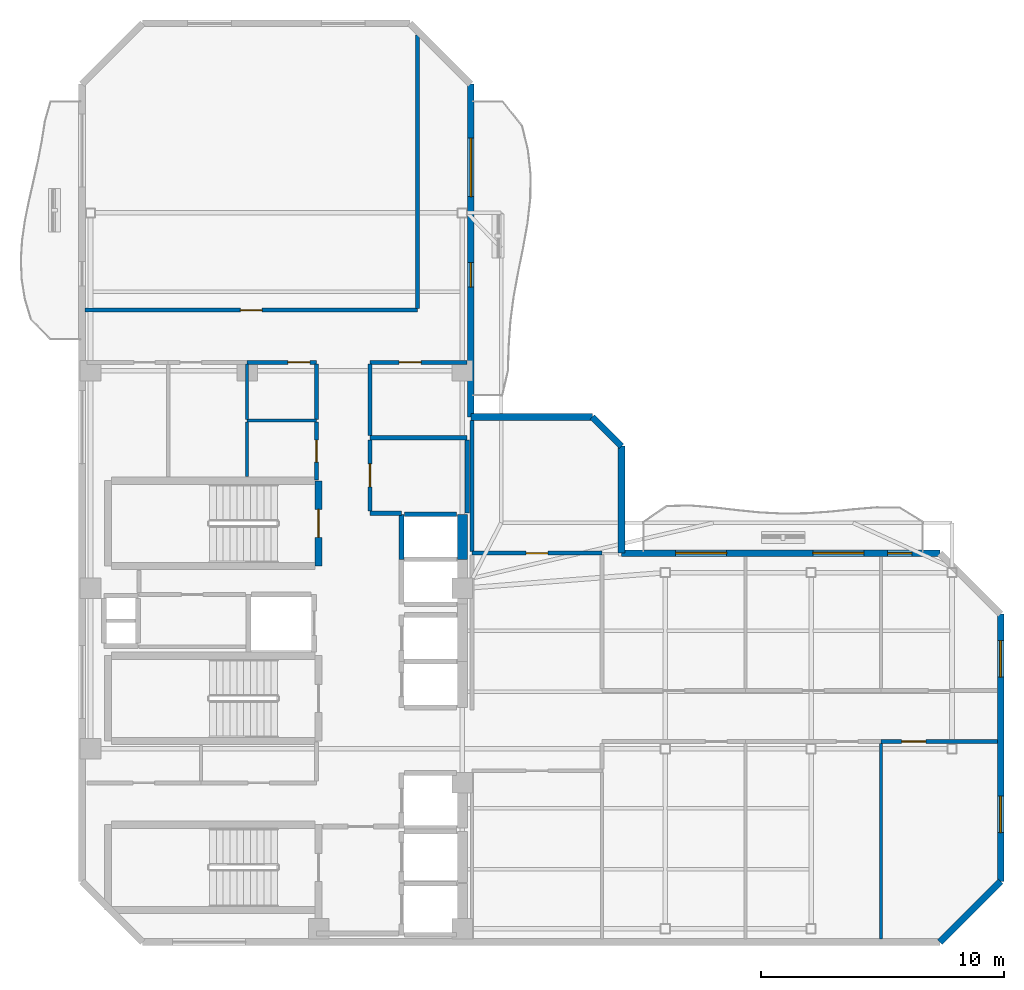
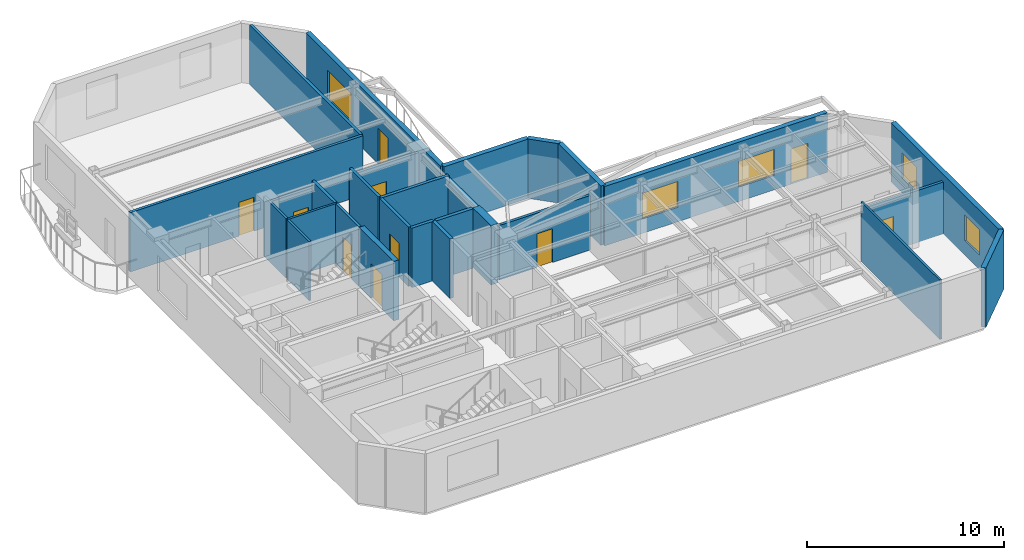
# One storey, part 4 of 7: 29 walls, 10 doors, 5 windows, 15 openings.
"""IFC4 building model written with IfcOpenShell, lengths in metres."""

import ifcopenshell
import ifcopenshell.guid

model = None  # the IFC model being written
_history = None  # IfcOwnerHistory: only IFC2X3 demands one
_inside = {}  # id of a spatial element -> (the spatial element, [elements in it])
_under = {}  # id of a project, library or spatial element -> (it, [spatial elements below it])
_declared = {}  # id of a project -> (the project, [libraries it declares])
_typed = {}  # id of a type object -> (the type object, [elements of that type])
_made_of = {}  # id of a material, layer set ... -> (it, [elements and type objects made of it])


def new_model(schema):
    """Start an empty IFC model of exactly this schema.

    Asked for "IFC4X3", IfcOpenShell would pick the latest addendum, in which some entities
    have other attributes; the version numbers below select the first issue.
    IFC2X3 requires an IfcOwnerHistory on every rooted entity: one is made here for all.
    """
    global model, _history
    if schema == "IFC4X3":
        model = ifcopenshell.file(schema_version=(4, 3, 0, 0))
    else:
        model = ifcopenshell.file(schema=schema)
    _inside.clear()
    _under.clear()
    _declared.clear()
    _typed.clear()
    _made_of.clear()
    _history = None
    if model.schema == "IFC2X3":
        org = make("IfcOrganization", Name="unknown")
        user = make(
            "IfcPersonAndOrganization",
            ThePerson=make("IfcPerson", FamilyName="unknown"),
            TheOrganization=org,
        )
        app = make(
            "IfcApplication",
            ApplicationDeveloper=org,
            Version="unknown",
            ApplicationFullName="unknown",
            ApplicationIdentifier="unknown",
        )
        _history = make(
            "IfcOwnerHistory",
            OwningUser=user,
            OwningApplication=app,
            ChangeAction="ADDED",
            CreationDate=0,
        )
    return model


def make(cls, **values):
    """One entity of the class cls with the attributes given. An attribute that is None is left unset."""
    return model.create_entity(
        cls, **{name: value for name, value in values.items() if value is not None}
    )


def rooted(cls, **values):
    """An entity with a GlobalId (a new one), such as an element, a storey or a relation."""
    return make(cls, GlobalId=ifcopenshell.guid.new(), OwnerHistory=_history, **values)


def si_unit(unit_type, name, prefix=None):
    """IfcSIUnit, for example si_unit("LENGTHUNIT", "METRE", prefix="MILLI")."""
    return make("IfcSIUnit", UnitType=unit_type, Prefix=prefix, Name=name)


def assignment(units):
    """IfcUnitAssignment: the units of a project."""
    return None if units is None else make("IfcUnitAssignment", Units=units)


def point(xyz):
    """IfcCartesianPoint."""
    return None if xyz is None else make("IfcCartesianPoint", Coordinates=xyz)


def direction(xyz):
    """IfcDirection."""
    return None if xyz is None else make("IfcDirection", DirectionRatios=xyz)


def frame(location, z_axis=None, x_axis=None):
    """IfcAxis2Placement3D, a coordinate frame: its origin and axes. An axis left out is left unset."""
    return make(
        "IfcAxis2Placement3D",
        Location=point(location),
        Axis=direction(z_axis),
        RefDirection=direction(x_axis),
    )


def frame_2d(location, x_axis=None):
    """IfcAxis2Placement2D, a coordinate frame in the plane: its origin and x axis."""
    return make(
        "IfcAxis2Placement2D", Location=point(location), RefDirection=direction(x_axis)
    )


def origin():
    """The frame at (0, 0, 0) with its axes left unset."""
    return frame((0.0, 0.0, 0.0))


def place(relative_to, where):
    """IfcLocalPlacement: puts the frame where relative to a parent placement (None: the world)."""
    return make(
        "IfcLocalPlacement", PlacementRelTo=relative_to, RelativePlacement=where
    )


def context(
    kind, dimensions, precision=None, world=None, true_north=None, identifier=None
):
    """IfcGeometricRepresentationContext, for example the 3D "Model" context."""
    return make(
        "IfcGeometricRepresentationContext",
        ContextIdentifier=identifier,
        ContextType=kind,
        CoordinateSpaceDimension=dimensions,
        Precision=precision,
        WorldCoordinateSystem=world,
        TrueNorth=true_north,
    )


def subcontext(parent, identifier, kind, view, scale=None):
    """IfcGeometricRepresentationSubContext, for example "Body" below "Model"."""
    return make(
        "IfcGeometricRepresentationSubContext",
        ContextIdentifier=identifier,
        ContextType=kind,
        ParentContext=parent,
        TargetScale=scale,
        TargetView=view,
    )


def project(units=None, contexts=None):
    """IfcProject with its units and contexts."""
    return rooted(
        "IfcProject",
        Name="project",
        RepresentationContexts=contexts,
        UnitsInContext=assignment(units),
    )


def spatial(cls, under=None, at=None, **own):
    """A site, building, storey or space (cls), placed at a placement, below another one or the project."""
    s = rooted(cls, ObjectPlacement=at, **own)
    if under is not None:
        _under.setdefault(under.id(), (under, []))[1].append(s)
    return s


def profile(cls, at=None, kind="AREA", **sizes):
    """A parametric profile (cls). Its sizes go by their IFC names, for example OverallWidth=200.0."""
    return make(cls, ProfileType=kind, Position=at, **sizes)


def rectangle(**sizes):
    """IfcRectangleProfileDef."""
    return profile("IfcRectangleProfileDef", **sizes)


def extrude(swept, where, along, depth):
    """IfcExtrudedAreaSolid: the profile swept, set in the frame where, extruded along a direction by depth."""
    return make(
        "IfcExtrudedAreaSolid",
        SweptArea=swept,
        Position=where,
        ExtrudedDirection=direction(along),
        Depth=depth,
    )


def shape(context_of_items, identifier, shape_type, items):
    """IfcShapeRepresentation: the items that make up one representation, for example the "Body"."""
    return make(
        "IfcShapeRepresentation",
        ContextOfItems=context_of_items,
        RepresentationIdentifier=identifier,
        RepresentationType=shape_type,
        Items=items,
    )


def material(Name=None, Category=None):
    """IfcMaterial."""
    return make("IfcMaterial", Name=Name, Category=Category)


def layer(
    of_material, thickness, ventilated=None, Name=None, Category=None, Priority=None
):
    """IfcMaterialLayer: one layer of a wall or slab, of a material (None: an air gap)."""
    return make(
        "IfcMaterialLayer",
        Material=of_material,
        LayerThickness=thickness,
        IsVentilated=ventilated,
        Name=Name,
        Category=Category,
        Priority=Priority,
    )


def layer_set(layers, Name=None):
    """IfcMaterialLayerSet."""
    return make("IfcMaterialLayerSet", MaterialLayers=layers, LayerSetName=Name)


def made_of(thing, what):
    """Note that an element or type object is made of a material, layer set ...; save() writes the relation."""
    if what is not None:
        _made_of.setdefault(what.id(), (what, []))[1].append(thing)
    return thing


def type_object(cls, material=None, **own):
    """A type object (cls), such as IfcWallType, which elements share."""
    return made_of(rooted(cls, **own), material)


def element(
    cls,
    number,
    at=None,
    inside=None,
    cuts=None,
    type_object=None,
    material=None,
    context=None,
    identifier="Body",
    shape_type=None,
    held_by="IfcProductDefinitionShape",
    body=None,
    shapes=None,
    **own,
):
    """One element of the class cls, such as IfcWall. Its Tag is "e" and its number.

    at: its placement. inside: the storey or other place that contains it. cuts: it is an
    opening in that element (IfcRelVoidsElement). A single representation is given by context,
    identifier, shape_type and body (its items); several are given by shapes. held_by: the class
    of the entity that holds the representations. save() writes the other relations.
    """
    e = rooted(cls, Tag="e%d" % number, ObjectPlacement=at, **own)
    if body is not None:
        shapes = [shape(context, identifier, shape_type, body)]
    if shapes is not None:
        e.Representation = make(held_by, Representations=shapes)
    if inside is not None:
        _inside.setdefault(inside.id(), (inside, []))[1].append(e)
    if cuts is not None:
        rooted(
            "IfcRelVoidsElement", RelatingBuildingElement=cuts, RelatedOpeningElement=e
        )
    if type_object is not None:
        _typed.setdefault(type_object.id(), (type_object, []))[1].append(e)
    return made_of(e, material)


def fill(opening, filler):
    """IfcRelFillsElement: the door or window that sits in an opening."""
    return rooted(
        "IfcRelFillsElement",
        RelatingOpeningElement=opening,
        RelatedBuildingElement=filler,
    )


def aggregate(whole, parts):
    """IfcRelAggregates: a whole, such as a stair, and the parts it consists of."""
    return rooted("IfcRelAggregates", RelatingObject=whole, RelatedObjects=parts)


def save(model, path):
    """Write the relations noted so far, then the file.

    IfcRelAggregates (storeys below a building ...), IfcRelContainedInSpatialStructure (elements
    in a storey), IfcRelDefinesByType, IfcRelAssociatesMaterial and IfcRelDeclares: one each for
    every whole, place, type object, material and project.
    """
    for whole, parts in _under.values():
        aggregate(whole, parts)
    for where, things in _inside.values():
        rooted(
            "IfcRelContainedInSpatialStructure",
            RelatedElements=things,
            RelatingStructure=where,
        )
    for kind, things in _typed.values():
        rooted("IfcRelDefinesByType", RelatedObjects=things, RelatingType=kind)
    for what, things in _made_of.values():
        rooted("IfcRelAssociatesMaterial", RelatedObjects=things, RelatingMaterial=what)
    for by, libraries in _declared.values():
        rooted("IfcRelDeclares", RelatingContext=by, RelatedDefinitions=libraries)
    model.write(path)


model = new_model("IFC4")

# Units and contexts
model_context = context("Model", 3, precision=1e-05, world=origin(), true_north=direction((0.0, 1.0)))
body_context = subcontext(model_context, "Body", "Model", "MODEL_VIEW")
ifc_project = project(units=[si_unit("LENGTHUNIT", "METRE"), si_unit("AREAUNIT", "SQUARE_METRE"), si_unit("VOLUMEUNIT", "CUBIC_METRE"), si_unit("PLANEANGLEUNIT", "RADIAN"), si_unit("MASSUNIT", "GRAM", prefix="KILO")], contexts=[model_context])

# Site, building, storey
site_placement = place(None, origin())
site = spatial("IfcSite", under=ifc_project, at=site_placement, CompositionType="ELEMENT")
building_placement = place(site_placement, origin())
building = spatial("IfcBuilding", under=site, at=building_placement, Name="Mawjaban Terraces University", CompositionType="ELEMENT")
storey_placement = place(building_placement, frame((0.0, 0.0, 291.10009765625)))
storey = spatial("IfcBuildingStorey", under=building, at=storey_placement, Name="L71", CompositionType="ELEMENT", Elevation=291.10009765625)

# Walls
ifc_material_1 = material(Name="Acoustic masonry blockwork", Category="masonry")
ifc_layer_1 = layer(ifc_material_1, 0.179931640625)
ifc_layer_set_1 = layer_set([ifc_layer_1], Name="Acoustic masonry blockwork")
wall_type_1 = type_object("IfcWallType", Name="AcousticStudioWall_180", PredefinedType="PARTITIONING", material=ifc_layer_set_1)
wall_1_placement = place(storey_placement, frame((33.85009765625, 17.64990234375, 0.0), z_axis=(0.0, 0.0, 1.0), x_axis=(1.0, 0.0, 0.0)))
element("IfcWall", 1, at=wall_1_placement, inside=storey, type_object=wall_type_1, Name="L71 Graduate Research Collaboration Studio Partition 10", PredefinedType="PARTITIONING", context=body_context, shape_type="SweptSolid", body=[
    extrude(rectangle(XDim=1.2998046875, YDim=0.179931640625, at=frame_2d((0.64990234375, 0.0))), origin(), (0.0, 0.0, 1.0), 3.68994140625),
])
wall_2_placement = place(storey_placement, frame((37.85009765625, 20.75, 0.0), z_axis=(0.0, 0.0, 1.0), x_axis=(-1.0, 0.0, 0.0)))
element("IfcWall", 2, at=wall_2_placement, inside=storey, type_object=wall_type_1, Name="L71 Graduate Research Collaboration Studio Partition 13", PredefinedType="PARTITIONING", context=body_context, shape_type="SweptSolid", body=[
    extrude(rectangle(XDim=4.0, YDim=0.179931640625, at=frame_2d((2.0, 0.0))), origin(), (0.0, 0.0, 1.0), 3.68994140625),
])

# Wall, opening, door
wall_3_placement = place(storey_placement, frame((33.85009765625, 17.735107421875, 0.0), z_axis=(0.0, 0.0, 1.0), x_axis=(0.0, 1.0, 0.0)))
wall_3 = element("IfcWall", 3, at=wall_3_placement, inside=storey, type_object=wall_type_1, Name="L71 Core North Lift Lobby Partition 31", PredefinedType="PARTITIONING", context=body_context, shape_type="SweptSolid", body=[
    extrude(rectangle(XDim=2.929931640625, YDim=0.179931640625, at=frame_2d((1.46484375, 0.0))), origin(), (0.0, 0.0, 1.0), 3.68994140625),
])
opening_1_placement = place(wall_3_placement, frame((0.989990234375, 0.0, 0.0)))
opening_1 = element("IfcOpeningElement", 4, at=opening_1_placement, cuts=wall_3, Name="Opening ID-095", PredefinedType="OPENING", context=body_context, shape_type="SweptSolid", body=[
    extrude(rectangle(XDim=0.949951171875, YDim=2.10009765625, at=frame_2d((0.47509765625, 1.050048828125))), frame((0.0, 0.099853515625, 0.0), z_axis=(0.0, -1.0, 0.0), x_axis=(1.0, 0.0, 0.0)), (0.0, 0.0, 1.0), 0.199951171875),
])
ifc_material_2 = material(Name="Powder-coated steel frame and solid acoustic timber leaf", Category="steel")
door_type_1 = type_object("IfcDoorType", Name="StudioDoor_950x2100", OperationType="NOTDEFINED", PredefinedType="DOOR", material=ifc_material_2)
door_1_placement = place(opening_1_placement, origin())
door_1 = element("IfcDoor", 5, at=door_1_placement, inside=storey, type_object=door_type_1, Name="L71 Graduate Research Collaboration Studio Door", OperationType="SINGLE_SWING_RIGHT", OverallHeight=2.10009765625, OverallWidth=0.949951171875, PredefinedType="DOOR", context=body_context, shape_type="SweptSolid", body=[
    extrude(rectangle(XDim=0.949951171875, YDim=2.10009765625, at=frame_2d((0.47509765625, 1.050048828125))), frame((0.0, 0.02490234375, 0.0), z_axis=(0.0, -1.0, 0.0), x_axis=(1.0, 0.0, 0.0)), (0.0, 0.0, 1.0), 0.050048828125),
])
fill(opening_1, door_1)

# Walls
wall_4_placement = place(storey_placement, frame((37.85009765625, 17.64990234375, 0.0), z_axis=(0.0, 0.0, 1.0), x_axis=(0.0, 1.0, 0.0)))
element("IfcWall", 6, at=wall_4_placement, inside=storey, type_object=wall_type_1, Name="L71 Graduate Research Collaboration Studio Partition 34", PredefinedType="PARTITIONING", context=body_context, shape_type="SweptSolid", body=[
    extrude(rectangle(XDim=3.01513671875, YDim=0.179931640625, at=frame_2d((1.507568359375, 0.0))), origin(), (0.0, 0.0, 1.0), 3.226806640625),
])
wall_5_placement = place(storey_placement, frame((38.050048828125, 21.468017578125, 0.0), z_axis=(0.0, 0.0, 1.0), x_axis=(0.0, -1.0, 0.0)))
element("IfcWall", 7, at=wall_5_placement, inside=storey, type_object=wall_type_1, Name="L71 Terrace Collaborative Study Room Partition 37", PredefinedType="PARTITIONING", context=body_context, shape_type="SweptSolid", body=[
    extrude(rectangle(XDim=5.39306640625, YDim=0.179931640625, at=frame_2d((2.696533203125, 0.0))), origin(), (0.0, 0.0, 1.0), 3.226806640625),
])
ifc_material_3 = material(Name="Concrete C50/60", Category="concrete")
ifc_layer_2 = layer(ifc_material_3, 0.419921875)
ifc_layer_set_2 = layer_set([ifc_layer_2], Name="Concrete C50/60")
wall_type_2 = type_object("IfcWallType", Name="CoreShearWall_420", PredefinedType="SHEAR", material=ifc_layer_set_2)
wall_6_placement = place(storey_placement, frame((37.659912109375, 15.75, 0.0), z_axis=(0.0, 0.0, 1.0), x_axis=(0.0, 1.0, 0.0)))
element("IfcWall", 8, at=wall_6_placement, inside=storey, type_object=wall_type_2, Name="L71 Lift OL-2 Hoistway Wall East", PredefinedType="SHEAR", context=body_context, shape_type="SweptSolid", body=[
    extrude(rectangle(XDim=1.85009765625, YDim=0.419921875, at=frame_2d((0.925048828125, 0.0))), origin(), (0.0, 0.0, 1.0), 3.68994140625),
])

# Wall, opening, door
ifc_material_4 = material(Name="Fire-rated gypsum board on steel stud", Category="steel")
ifc_layer_3 = layer(ifc_material_4, 0.159912109375)
ifc_layer_set_3 = layer_set([ifc_layer_3], Name="Fire-rated gypsum board on steel stud")
wall_type_3 = type_object("IfcWallType", Name="CorridorPartition_160", PredefinedType="PARTITIONING", material=ifc_layer_set_3)
wall_7_placement = place(storey_placement, frame((31.64990234375, 23.85009765625, 0.0), z_axis=(0.0, 0.0, 1.0), x_axis=(-1.0, 0.0, 0.0)))
wall_7 = element("IfcWall", 9, at=wall_7_placement, inside=storey, type_object=wall_type_3, Name="L71 Faculty Consultation Alcove Partition 9", PredefinedType="PARTITIONING", context=body_context, shape_type="SweptSolid", body=[
    extrude(rectangle(XDim=2.849853515625, YDim=0.159912109375, at=frame_2d((1.4248046875, 0.0))), origin(), (0.0, 0.0, 1.0), 3.226806640625),
])
opening_2_placement = place(wall_7_placement, frame((0.27490234375, 0.0, 0.0)))
opening_2 = element("IfcOpeningElement", 10, at=opening_2_placement, cuts=wall_7, Name="Opening ID-090", PredefinedType="OPENING", context=body_context, shape_type="SweptSolid", body=[
    extrude(rectangle(XDim=0.89990234375, YDim=2.10009765625, at=frame_2d((0.449951171875, 1.050048828125))), frame((0.0, 0.08984375, 0.0), z_axis=(0.0, -1.0, 0.0), x_axis=(1.0, 0.0, 0.0)), (0.0, 0.0, 1.0), 0.179931640625),
])
door_type_2 = type_object("IfcDoorType", Name="OfficeDoor_900x2100", OperationType="NOTDEFINED", PredefinedType="DOOR", material=ifc_material_2)
door_2_placement = place(opening_2_placement, origin())
door_2 = element("IfcDoor", 11, at=door_2_placement, inside=storey, type_object=door_type_2, Name="L71 Faculty Consultation Alcove Door", OperationType="SINGLE_SWING_LEFT", OverallHeight=2.10009765625, OverallWidth=0.89990234375, PredefinedType="DOOR", context=body_context, shape_type="SweptSolid", body=[
    extrude(rectangle(XDim=0.89990234375, YDim=2.10009765625, at=frame_2d((0.449951171875, 1.050048828125))), frame((0.0, 0.02490234375, 0.0), z_axis=(0.0, -1.0, 0.0), x_axis=(1.0, 0.0, 0.0)), (0.0, 0.0, 1.0), 0.050048828125),
])
fill(opening_2, door_2)

wall_8_placement = place(storey_placement, frame((35.800048828125, 26.0, 0.0), z_axis=(0.0, 0.0, 1.0), x_axis=(-1.0, 0.0, 0.0)))
wall_8 = element("IfcWall", 12, at=wall_8_placement, inside=storey, type_object=wall_type_3, Name="L71 North Core Cross-Corridor Partition 12", PredefinedType="PARTITIONING", context=body_context, shape_type="SweptSolid", body=[
    extrude(rectangle(XDim=13.6669921875, YDim=0.159912109375, at=frame_2d((6.83349609375, 0.0))), origin(), (0.0, 0.0, 1.0), 3.68994140625),
])
opening_3_placement = place(wall_8_placement, frame((6.383056640625, 0.0, 0.0)))
opening_3 = element("IfcOpeningElement", 13, at=opening_3_placement, cuts=wall_8, Name="Opening ID-090", PredefinedType="OPENING", context=body_context, shape_type="SweptSolid", body=[
    extrude(rectangle(XDim=0.89990234375, YDim=2.10009765625, at=frame_2d((0.449951171875, 1.050048828125))), frame((0.0, 0.08984375, 0.0), z_axis=(0.0, -1.0, 0.0), x_axis=(1.0, 0.0, 0.0)), (0.0, 0.0, 1.0), 0.179931640625),
])
door_3_placement = place(opening_3_placement, origin())
door_3 = element("IfcDoor", 14, at=door_3_placement, inside=storey, type_object=door_type_2, Name="L71 Collaborative Study Room 8 Door", OperationType="SINGLE_SWING_RIGHT", OverallHeight=2.10009765625, OverallWidth=0.89990234375, PredefinedType="DOOR", context=body_context, shape_type="SweptSolid", body=[
    extrude(rectangle(XDim=0.89990234375, YDim=2.10009765625, at=frame_2d((0.449951171875, 1.050048828125))), frame((0.0, 0.02490234375, 0.0), z_axis=(0.0, -1.0, 0.0), x_axis=(1.0, 0.0, 0.0)), (0.0, 0.0, 1.0), 0.050048828125),
])
fill(opening_3, door_3)

wall_9_placement = place(storey_placement, frame((37.85009765625, 23.85009765625, 0.0), z_axis=(0.0, 0.0, 1.0), x_axis=(-1.0, 0.0, 0.0)))
wall_9 = element("IfcWall", 15, at=wall_9_placement, inside=storey, type_object=wall_type_3, Name="L71 Departmental Copy and Archive Room Partition 14", PredefinedType="PARTITIONING", context=body_context, shape_type="SweptSolid", body=[
    extrude(rectangle(XDim=4.0, YDim=0.159912109375, at=frame_2d((2.0, 0.0))), origin(), (0.0, 0.0, 1.0), 3.226806640625),
])
opening_4_placement = place(wall_9_placement, frame((1.89990234375, 0.0, 0.0)))
opening_4 = element("IfcOpeningElement", 16, at=opening_4_placement, cuts=wall_9, Name="Opening ID-090", PredefinedType="OPENING", context=body_context, shape_type="SweptSolid", body=[
    extrude(rectangle(XDim=0.89990234375, YDim=2.10009765625, at=frame_2d((0.449951171875, 1.050048828125))), frame((0.0, 0.08984375, 0.0), z_axis=(0.0, -1.0, 0.0), x_axis=(1.0, 0.0, 0.0)), (0.0, 0.0, 1.0), 0.179931640625),
])
door_4_placement = place(opening_4_placement, origin())
door_4 = element("IfcDoor", 17, at=door_4_placement, inside=storey, type_object=door_type_2, Name="L71 Departmental Copy and Archive Room Door", OperationType="SINGLE_SWING_LEFT", OverallHeight=2.10009765625, OverallWidth=0.89990234375, PredefinedType="DOOR", context=body_context, shape_type="SweptSolid", body=[
    extrude(rectangle(XDim=0.89990234375, YDim=2.10009765625, at=frame_2d((0.449951171875, 1.050048828125))), frame((0.0, 0.02490234375, 0.0), z_axis=(0.0, -1.0, 0.0), x_axis=(1.0, 0.0, 0.0)), (0.0, 0.0, 1.0), 0.050048828125),
])
fill(opening_4, door_4)

wall_10_placement = place(storey_placement, frame((43.39990234375, 16.0, 0.0), z_axis=(0.0, 0.0, 1.0), x_axis=(-1.0, 0.0, 0.0)))
wall_10 = element("IfcWall", 18, at=wall_10_placement, inside=storey, type_object=wall_type_3, Name="L71 Upper Research Hub Concourse Partition 17", PredefinedType="PARTITIONING", context=body_context, shape_type="SweptSolid", body=[
    extrude(rectangle(XDim=5.349853515625, YDim=0.159912109375, at=frame_2d((2.6748046875, 0.0))), origin(), (0.0, 0.0, 1.0), 3.389892578125),
])
opening_5_placement = place(wall_10_placement, frame((2.22509765625, 0.0, 0.0)))
opening_5 = element("IfcOpeningElement", 19, at=opening_5_placement, cuts=wall_10, Name="Opening ID-090", PredefinedType="OPENING", context=body_context, shape_type="SweptSolid", body=[
    extrude(rectangle(XDim=0.89990234375, YDim=2.10009765625, at=frame_2d((0.449951171875, 1.050048828125))), frame((0.0, 0.08984375, 0.0), z_axis=(0.0, -1.0, 0.0), x_axis=(1.0, 0.0, 0.0)), (0.0, 0.0, 1.0), 0.179931640625),
])
door_5_placement = place(opening_5_placement, origin())
door_5 = element("IfcDoor", 20, at=door_5_placement, inside=storey, type_object=door_type_2, Name="L71 Terrace Collaborative Study Room Door", OperationType="SINGLE_SWING_LEFT", OverallHeight=2.10009765625, OverallWidth=0.89990234375, PredefinedType="DOOR", context=body_context, shape_type="SweptSolid", body=[
    extrude(rectangle(XDim=0.89990234375, YDim=2.10009765625, at=frame_2d((0.449951171875, 1.050048828125))), frame((0.0, 0.02490234375, 0.0), z_axis=(0.0, -1.0, 0.0), x_axis=(1.0, 0.0, 0.0)), (0.0, 0.0, 1.0), 0.050048828125),
])
fill(opening_5, door_5)

wall_11_placement = place(storey_placement, frame((54.8798828125, 8.25, 0.0), z_axis=(0.0, 0.0, 1.0), x_axis=(1.0, 0.0, 0.0)))
wall_11 = element("IfcWall", 21, at=wall_11_placement, inside=storey, type_object=wall_type_3, Name="L71 Upper East Research Corridor Partition 20", PredefinedType="PARTITIONING", context=body_context, shape_type="SweptSolid", body=[
    extrude(rectangle(XDim=4.787109375, YDim=0.159912109375, at=frame_2d((2.3935546875, 0.0))), origin(), (0.0, 0.0, 1.0), 3.226806640625),
])
opening_6_placement = place(wall_11_placement, frame((0.843017578125, 0.0, 0.0)))
opening_6 = element("IfcOpeningElement", 22, at=opening_6_placement, cuts=wall_11, Name="Opening ID-100", PredefinedType="OPENING", context=body_context, shape_type="SweptSolid", body=[
    extrude(rectangle(XDim=1.0, YDim=2.10009765625, at=frame_2d((0.5, 1.050048828125))), frame((0.0, 0.08984375, 0.0), z_axis=(0.0, -1.0, 0.0), x_axis=(1.0, 0.0, 0.0)), (0.0, 0.0, 1.0), 0.179931640625),
])
door_type_3 = type_object("IfcDoorType", Name="ClassroomDoor_1000x2100", OperationType="NOTDEFINED", PredefinedType="DOOR", material=ifc_material_2)
door_6_placement = place(opening_6_placement, origin())
door_6 = element("IfcDoor", 23, at=door_6_placement, inside=storey, type_object=door_type_3, Name="L71 Classroom 6 Door", OperationType="SINGLE_SWING_RIGHT", OverallHeight=2.10009765625, OverallWidth=1.0, PredefinedType="DOOR", context=body_context, shape_type="SweptSolid", body=[
    extrude(rectangle(XDim=1.0, YDim=2.10009765625, at=frame_2d((0.5, 1.050048828125))), frame((0.0, 0.02490234375, 0.0), z_axis=(0.0, -1.0, 0.0), x_axis=(1.0, 0.0, 0.0)), (0.0, 0.0, 1.0), 0.050048828125),
])
fill(opening_6, door_6)

wall_12_placement = place(storey_placement, frame((31.64990234375, 19.010009765625, 0.0), z_axis=(0.0, 0.0, 1.0), x_axis=(0.0, 1.0, 0.0)))
wall_12 = element("IfcWall", 24, at=wall_12_placement, inside=storey, type_object=wall_type_3, Name="L71 Faculty Academic Resource Office Partition 29", PredefinedType="PARTITIONING", context=body_context, shape_type="SweptSolid", body=[
    extrude(rectangle(XDim=2.382080078125, YDim=0.159912109375, at=frame_2d((1.19091796875, 0.0))), origin(), (0.0, 0.0, 1.0), 3.68994140625),
])
opening_7_placement = place(wall_12_placement, frame((0.740966796875, 0.0, 0.0)))
opening_7 = element("IfcOpeningElement", 25, at=opening_7_placement, cuts=wall_12, Name="Opening ID-090", PredefinedType="OPENING", context=body_context, shape_type="SweptSolid", body=[
    extrude(rectangle(XDim=0.89990234375, YDim=2.10009765625, at=frame_2d((0.449951171875, 1.050048828125))), frame((0.0, 0.08984375, 0.0), z_axis=(0.0, -1.0, 0.0), x_axis=(1.0, 0.0, 0.0)), (0.0, 0.0, 1.0), 0.179931640625),
])
door_7_placement = place(opening_7_placement, origin())
door_7 = element("IfcDoor", 26, at=door_7_placement, inside=storey, type_object=door_type_2, Name="L71 Faculty Academic Resource Office Door", OperationType="SINGLE_SWING_RIGHT", OverallHeight=2.10009765625, OverallWidth=0.89990234375, PredefinedType="DOOR", context=body_context, shape_type="SweptSolid", body=[
    extrude(rectangle(XDim=0.89990234375, YDim=2.10009765625, at=frame_2d((0.449951171875, 1.050048828125))), frame((0.0, 0.02490234375, 0.0), z_axis=(0.0, -1.0, 0.0), x_axis=(1.0, 0.0, 0.0)), (0.0, 0.0, 1.0), 0.050048828125),
])
fill(opening_7, door_7)

# Walls
wall_13_placement = place(storey_placement, frame((31.64990234375, 23.77490234375, 0.0), z_axis=(0.0, 0.0, 1.0), x_axis=(0.0, -1.0, 0.0)))
element("IfcWall", 27, at=wall_13_placement, inside=storey, type_object=wall_type_3, Name="L71 Core North Lift Lobby Partition 30", PredefinedType="PARTITIONING", context=body_context, shape_type="SweptSolid", body=[
    extrude(rectangle(XDim=2.266845703125, YDim=0.159912109375, at=frame_2d((1.13330078125, 0.0))), origin(), (0.0, 0.0, 1.0), 3.68994140625),
])
wall_14_placement = place(storey_placement, frame((33.85009765625, 20.8349609375, 0.0), z_axis=(0.0, 0.0, 1.0), x_axis=(0.0, 1.0, 0.0)))
element("IfcWall", 28, at=wall_14_placement, inside=storey, type_object=wall_type_3, Name="L71 Core North Lift Lobby Partition 32", PredefinedType="PARTITIONING", context=body_context, shape_type="SweptSolid", body=[
    extrude(rectangle(XDim=2.93994140625, YDim=0.159912109375, at=frame_2d((1.469970703125, 0.0))), origin(), (0.0, 0.0, 1.0), 3.68994140625),
])
wall_15_placement = place(storey_placement, frame((35.800048828125, 37.31298828125, 0.0), z_axis=(0.0, 0.0, 1.0), x_axis=(0.0, -1.0, 0.0)))
element("IfcWall", 29, at=wall_15_placement, inside=storey, type_object=wall_type_3, Name="L71 Upper North Research Gallery Partition 33", PredefinedType="PARTITIONING", context=body_context, shape_type="SweptSolid", body=[
    extrude(rectangle(XDim=11.238037109375, YDim=0.159912109375, at=frame_2d((5.619140625, 0.0))), origin(), (0.0, 0.0, 1.0), 3.68994140625),
])
ifc_material_5 = material(Name="Insulated terracotta rainscreen on concrete backup C40/50", Category="masonry")
ifc_layer_4 = layer(ifc_material_5, 0.27490234375)
ifc_layer_set_4 = layer_set([ifc_layer_4], Name="Insulated terracotta rainscreen on concrete backup C40/50")
wall_type_4 = type_object("IfcWallType", Name="ExtTerracottaWall_275", PredefinedType="SOLIDWALL", material=ifc_layer_set_4)
wall_16_placement = place(storey_placement, frame((57.300048828125, 0.0, 0.0), z_axis=(0.0, 0.0, 1.0), x_axis=(0.707106781187, 0.707106781187, 0.0)))
element("IfcWall", 30, at=wall_16_placement, inside=storey, type_object=wall_type_4, Name="L71 Exterior Terracotta Wall 2", PredefinedType="SOLIDWALL", context=body_context, shape_type="SweptSolid", body=[
    extrude(rectangle(XDim=3.53564453125, YDim=0.27490234375, at=frame_2d((1.767822265625, 0.0))), origin(), (0.0, 0.0, 1.0), 3.68994140625),
])

# Wall, openings, windows
wall_17_placement = place(storey_placement, frame((59.800048828125, 2.5, 0.0), z_axis=(0.0, 0.0, 1.0), x_axis=(0.0, 1.0, 0.0)))
wall_17 = element("IfcWall", 31, at=wall_17_placement, inside=storey, type_object=wall_type_4, Name="L71 Exterior Terracotta Wall 3", PredefinedType="SOLIDWALL", context=body_context, shape_type="SweptSolid", body=[
    extrude(rectangle(XDim=11.0, YDim=0.27490234375, at=frame_2d((5.5, 0.0))), origin(), (0.0, 0.0, 1.0), 3.68994140625),
])
opening_8_placement = place(wall_17_placement, frame((2.0, 0.0, 0.89990234375)))
opening_8 = element("IfcOpeningElement", 32, at=opening_8_placement, cuts=wall_17, Name="Opening W-02", PredefinedType="OPENING", context=body_context, shape_type="SweptSolid", body=[
    extrude(rectangle(XDim=1.5, YDim=1.60009765625, at=frame_2d((0.75, 0.800048828125))), frame((0.0, 0.1474609375, 0.0), z_axis=(0.0, -1.0, 0.0), x_axis=(1.0, 0.0, 0.0)), (0.0, 0.0, 1.0), 0.294921875),
])
opening_9_placement = place(wall_17_placement, frame((8.39990234375, 0.0, 0.89990234375)))
opening_9 = element("IfcOpeningElement", 33, at=opening_9_placement, cuts=wall_17, Name="Opening W-02", PredefinedType="OPENING", context=body_context, shape_type="SweptSolid", body=[
    extrude(rectangle(XDim=1.5, YDim=1.60009765625, at=frame_2d((0.75, 0.800048828125))), frame((0.0, 0.1474609375, 0.0), z_axis=(0.0, -1.0, 0.0), x_axis=(1.0, 0.0, 0.0)), (0.0, 0.0, 1.0), 0.294921875),
])
ifc_material_6 = material(Name="Low-E solar-control double glazing in thermally broken aluminium frame", Category="aluminium")
window_type_1 = type_object("IfcWindowType", Name="Win_1500x1600", PartitioningType="SINGLE_PANEL", PredefinedType="WINDOW", material=ifc_material_6)
window_1_placement = place(opening_8_placement, origin())
window_1 = element("IfcWindow", 34, at=window_1_placement, inside=storey, type_object=window_type_1, Name="L71 Facade Window 3.1", OverallHeight=1.60009765625, OverallWidth=1.5, PartitioningType="SINGLE_PANEL", PredefinedType="WINDOW", context=body_context, shape_type="SweptSolid", body=[
    extrude(rectangle(XDim=1.5, YDim=1.60009765625, at=frame_2d((0.75, 0.800048828125))), frame((0.0, 0.030029296875, 0.0), z_axis=(0.0, -1.0, 0.0), x_axis=(1.0, 0.0, 0.0)), (0.0, 0.0, 1.0), 0.06005859375),
])
fill(opening_8, window_1)
window_2_placement = place(opening_9_placement, origin())
window_2 = element("IfcWindow", 35, at=window_2_placement, inside=storey, type_object=window_type_1, Name="L71 Facade Window 3.2", OverallHeight=1.60009765625, OverallWidth=1.5, PartitioningType="SINGLE_PANEL", PredefinedType="WINDOW", context=body_context, shape_type="SweptSolid", body=[
    extrude(rectangle(XDim=1.5, YDim=1.60009765625, at=frame_2d((0.75, 0.800048828125))), frame((0.0, 0.030029296875, 0.0), z_axis=(0.0, -1.0, 0.0), x_axis=(1.0, 0.0, 0.0)), (0.0, 0.0, 1.0), 0.06005859375),
])
fill(opening_9, window_2)

# Wall, openings, door, windows
wall_18_placement = place(storey_placement, frame((57.300048828125, 16.0, 0.0), z_axis=(0.0, 0.0, 1.0), x_axis=(-1.0, 0.0, 0.0)))
wall_18 = element("IfcWall", 36, at=wall_18_placement, inside=storey, type_object=wall_type_4, Name="L71 Exterior Terracotta Wall 5", PredefinedType="SOLIDWALL", context=body_context, shape_type="SweptSolid", body=[
    extrude(rectangle(XDim=13.10009765625, YDim=0.27490234375, at=frame_2d((6.550048828125, 0.0))), origin(), (0.0, 0.0, 1.0), 3.68994140625),
])
opening_10_placement = place(wall_18_placement, frame((1.14990234375, 0.0, 0.0)))
opening_10 = element("IfcOpeningElement", 37, at=opening_10_placement, cuts=wall_18, Name="Opening BD-100", PredefinedType="OPENING", context=body_context, shape_type="SweptSolid", body=[
    extrude(rectangle(XDim=1.0, YDim=2.199951171875, at=frame_2d((0.5, 1.10009765625))), frame((0.0, 0.1474609375, 0.0), z_axis=(0.0, -1.0, 0.0), x_axis=(1.0, 0.0, 0.0)), (0.0, 0.0, 1.0), 0.294921875),
])
opening_11_placement = place(wall_18_placement, frame((3.125, 0.0, 0.89990234375)))
opening_11 = element("IfcOpeningElement", 38, at=opening_11_placement, cuts=wall_18, Name="Opening W-04", PredefinedType="OPENING", context=body_context, shape_type="SweptSolid", body=[
    extrude(rectangle(XDim=2.10009765625, YDim=1.60009765625, at=frame_2d((1.050048828125, 0.800048828125))), frame((0.0, 0.1474609375, 0.0), z_axis=(0.0, -1.0, 0.0), x_axis=(1.0, 0.0, 0.0)), (0.0, 0.0, 1.0), 0.294921875),
])
opening_12_placement = place(wall_18_placement, frame((8.77490234375, 0.0, 0.89990234375)))
opening_12 = element("IfcOpeningElement", 39, at=opening_12_placement, cuts=wall_18, Name="Opening W-04", PredefinedType="OPENING", context=body_context, shape_type="SweptSolid", body=[
    extrude(rectangle(XDim=2.10009765625, YDim=1.60009765625, at=frame_2d((1.050048828125, 0.800048828125))), frame((0.0, 0.1474609375, 0.0), z_axis=(0.0, -1.0, 0.0), x_axis=(1.0, 0.0, 0.0)), (0.0, 0.0, 1.0), 0.294921875),
])
ifc_material_7 = material(Name="Thermally broken anodised aluminium and laminated safety glass", Category="aluminium")
door_type_4 = type_object("IfcDoorType", Name="BalconyGlazedDoor_1000x2200", OperationType="NOTDEFINED", PredefinedType="DOOR", material=ifc_material_7)
door_8_placement = place(opening_10_placement, origin())
door_8 = element("IfcDoor", 40, at=door_8_placement, inside=storey, type_object=door_type_4, Name="L71 Balcony Access Door inner_north", OperationType="SINGLE_SWING_LEFT", OverallHeight=2.199951171875, OverallWidth=1.0, PredefinedType="DOOR", context=body_context, shape_type="SweptSolid", body=[
    extrude(rectangle(XDim=1.0, YDim=2.199951171875, at=frame_2d((0.5, 1.10009765625))), frame((0.0, 0.02490234375, 0.0), z_axis=(0.0, -1.0, 0.0), x_axis=(1.0, 0.0, 0.0)), (0.0, 0.0, 1.0), 0.050048828125),
])
fill(opening_10, door_8)
window_type_2 = type_object("IfcWindowType", Name="Win_2100x1600", PartitioningType="SINGLE_PANEL", PredefinedType="WINDOW", material=ifc_material_6)
window_3_placement = place(opening_11_placement, origin())
window_3 = element("IfcWindow", 41, at=window_3_placement, inside=storey, type_object=window_type_2, Name="L71 Facade Window 5.1", OverallHeight=1.60009765625, OverallWidth=2.10009765625, PartitioningType="SINGLE_PANEL", PredefinedType="WINDOW", context=body_context, shape_type="SweptSolid", body=[
    extrude(rectangle(XDim=2.10009765625, YDim=1.60009765625, at=frame_2d((1.050048828125, 0.800048828125))), frame((0.0, 0.030029296875, 0.0), z_axis=(0.0, -1.0, 0.0), x_axis=(1.0, 0.0, 0.0)), (0.0, 0.0, 1.0), 0.06005859375),
])
fill(opening_11, window_3)
window_4_placement = place(opening_12_placement, origin())
window_4 = element("IfcWindow", 42, at=window_4_placement, inside=storey, type_object=window_type_2, Name="L71 Facade Window 5.2", OverallHeight=1.60009765625, OverallWidth=2.10009765625, PartitioningType="SINGLE_PANEL", PredefinedType="WINDOW", context=body_context, shape_type="SweptSolid", body=[
    extrude(rectangle(XDim=2.10009765625, YDim=1.60009765625, at=frame_2d((1.050048828125, 0.800048828125))), frame((0.0, 0.030029296875, 0.0), z_axis=(0.0, -1.0, 0.0), x_axis=(1.0, 0.0, 0.0)), (0.0, 0.0, 1.0), 0.06005859375),
])
fill(opening_12, window_4)

# Walls
wall_19_placement = place(storey_placement, frame((44.199951171875, 16.0, 0.0), z_axis=(0.0, 0.0, 1.0), x_axis=(0.0, 1.0, 0.0)))
element("IfcWall", 43, at=wall_19_placement, inside=storey, type_object=wall_type_4, Name="L71 Exterior Terracotta Wall 6", PredefinedType="SOLIDWALL", context=body_context, shape_type="SweptSolid", body=[
    extrude(rectangle(XDim=4.39990234375, YDim=0.27490234375, at=frame_2d((2.199951171875, 0.0))), origin(), (0.0, 0.0, 1.0), 3.68994140625),
])
wall_20_placement = place(storey_placement, frame((44.199951171875, 20.39990234375, 0.0), z_axis=(0.0, 0.0, 1.0), x_axis=(-0.707034851297, 0.707178703759, 0.0)))
element("IfcWall", 44, at=wall_20_placement, inside=storey, type_object=wall_type_4, Name="L71 Exterior Terracotta Wall 7", PredefinedType="SOLIDWALL", context=body_context, shape_type="SweptSolid", body=[
    extrude(rectangle(XDim=1.697265625, YDim=0.27490234375, at=frame_2d((0.8486328125, 0.0))), origin(), (0.0, 0.0, 1.0), 3.68994140625),
])
wall_21_placement = place(storey_placement, frame((43.0, 21.60009765625, 0.0), z_axis=(0.0, 0.0, 1.0), x_axis=(-1.0, 0.0, 0.0)))
element("IfcWall", 45, at=wall_21_placement, inside=storey, type_object=wall_type_4, Name="L71 Exterior Terracotta Wall 8", PredefinedType="SOLIDWALL", context=body_context, shape_type="SweptSolid", body=[
    extrude(rectangle(XDim=5.0, YDim=0.27490234375, at=frame_2d((2.5, 0.0))), origin(), (0.0, 0.0, 1.0), 3.68994140625),
])

# Wall, openings, door, window
wall_22_placement = place(storey_placement, frame((38.0, 21.60009765625, 0.0), z_axis=(0.0, 0.0, 1.0), x_axis=(0.0, 1.0, 0.0)))
wall_22 = element("IfcWall", 46, at=wall_22_placement, inside=storey, type_object=wall_type_4, Name="L71 Exterior Terracotta Wall 9", PredefinedType="SOLIDWALL", context=body_context, shape_type="SweptSolid", body=[
    extrude(rectangle(XDim=13.699951171875, YDim=0.27490234375, at=frame_2d((6.85009765625, 0.0))), origin(), (0.0, 0.0, 1.0), 3.68994140625),
])
opening_13_placement = place(wall_22_placement, frame((5.35009765625, 0.0, 0.0)))
opening_13 = element("IfcOpeningElement", 47, at=opening_13_placement, cuts=wall_22, Name="Opening BD-100", PredefinedType="OPENING", context=body_context, shape_type="SweptSolid", body=[
    extrude(rectangle(XDim=1.0, YDim=2.199951171875, at=frame_2d((0.5, 1.10009765625))), frame((0.0, 0.1474609375, 0.0), z_axis=(0.0, -1.0, 0.0), x_axis=(1.0, 0.0, 0.0)), (0.0, 0.0, 1.0), 0.294921875),
])
opening_14_placement = place(wall_22_placement, frame((9.074951171875, 0.0, 0.89990234375)))
opening_14 = element("IfcOpeningElement", 48, at=opening_14_placement, cuts=wall_22, Name="Opening W-08", PredefinedType="OPENING", context=body_context, shape_type="SweptSolid", body=[
    extrude(rectangle(XDim=2.39990234375, YDim=1.800048828125, at=frame_2d((1.199951171875, 0.89990234375))), frame((0.0, 0.1474609375, 0.0), z_axis=(0.0, -1.0, 0.0), x_axis=(1.0, 0.0, 0.0)), (0.0, 0.0, 1.0), 0.294921875),
])
door_9_placement = place(opening_13_placement, origin())
door_9 = element("IfcDoor", 49, at=door_9_placement, inside=storey, type_object=door_type_4, Name="L71 Balcony Access Door inner_east", OperationType="SINGLE_SWING_RIGHT", OverallHeight=2.199951171875, OverallWidth=1.0, PredefinedType="DOOR", context=body_context, shape_type="SweptSolid", body=[
    extrude(rectangle(XDim=1.0, YDim=2.199951171875, at=frame_2d((0.5, 1.10009765625))), frame((0.0, 0.02490234375, 0.0), z_axis=(0.0, -1.0, 0.0), x_axis=(1.0, 0.0, 0.0)), (0.0, 0.0, 1.0), 0.050048828125),
])
fill(opening_13, door_9)
window_type_3 = type_object("IfcWindowType", Name="Win_2400x1800", PartitioningType="SINGLE_PANEL", PredefinedType="WINDOW", material=ifc_material_6)
window_5_placement = place(opening_14_placement, origin())
window_5 = element("IfcWindow", 50, at=window_5_placement, inside=storey, type_object=window_type_3, Name="L71 Facade Window 9.2", OverallHeight=1.800048828125, OverallWidth=2.39990234375, PartitioningType="SINGLE_PANEL", PredefinedType="WINDOW", context=body_context, shape_type="SweptSolid", body=[
    extrude(rectangle(XDim=2.39990234375, YDim=1.800048828125, at=frame_2d((1.199951171875, 0.89990234375))), frame((0.0, 0.030029296875, 0.0), z_axis=(0.0, -1.0, 0.0), x_axis=(1.0, 0.0, 0.0)), (0.0, 0.0, 1.0), 0.06005859375),
])
fill(opening_14, window_5)

# Walls
ifc_material_8 = material(Name="Concrete C40/50", Category="concrete")
ifc_layer_5 = layer(ifc_material_8, 0.199951171875)
ifc_layer_set_5 = layer_set([ifc_layer_5], Name="Concrete C40/50")
wall_type_5 = type_object("IfcWallType", Name="FireLobbyWall_200", PredefinedType="SOLIDWALL", material=ifc_layer_set_5)
wall_23_placement = place(storey_placement, frame((35.14990234375, 17.60009765625, 0.0), z_axis=(0.0, 0.0, 1.0), x_axis=(0.0, -1.0, 0.0)))
element("IfcWall", 51, at=wall_23_placement, inside=storey, type_object=wall_type_5, Name="L71 Lift OL-2 Hoistway Wall West", PredefinedType="SOLIDWALL", context=body_context, shape_type="SweptSolid", body=[
    extrude(rectangle(XDim=1.85009765625, YDim=0.199951171875, at=frame_2d((0.925048828125, 0.0))), origin(), (0.0, 0.0, 1.0), 3.68994140625),
])
wall_24_placement = place(storey_placement, frame((37.419921875, 17.60009765625, 0.0), z_axis=(0.0, 0.0, 1.0), x_axis=(-1.0, 0.0, 0.0)))
element("IfcWall", 52, at=wall_24_placement, inside=storey, type_object=wall_type_5, Name="L71 Lift OL-2 Hoistway Wall North", PredefinedType="SOLIDWALL", context=body_context, shape_type="SweptSolid", body=[
    extrude(rectangle(XDim=2.139892578125, YDim=0.199951171875, at=frame_2d((1.06982421875, 0.0))), origin(), (0.0, 0.0, 1.0), 3.68994140625),
])
ifc_material_9 = material(Name="Gypsum plasterboard on steel stud", Category="steel")
ifc_layer_6 = layer(ifc_material_9, 0.125)
ifc_layer_set_6 = layer_set([ifc_layer_6], Name="Gypsum plasterboard on steel stud")
wall_type_6 = type_object("IfcWallType", Name="OfficePartition_125", PredefinedType="PARTITIONING", material=ifc_layer_set_6)
wall_25_placement = place(storey_placement, frame((31.64990234375, 21.449951171875, 0.0), z_axis=(0.0, 0.0, 1.0), x_axis=(-1.0, 0.0, 0.0)))
element("IfcWall", 53, at=wall_25_placement, inside=storey, type_object=wall_type_6, Name="L71 Faculty Academic Resource Office Partition 8", PredefinedType="PARTITIONING", context=body_context, shape_type="SweptSolid", body=[
    extrude(rectangle(XDim=2.849853515625, YDim=0.125, at=frame_2d((1.4248046875, 0.0))), origin(), (0.0, 0.0, 1.0), 3.68994140625),
])
wall_26_placement = place(storey_placement, frame((28.800048828125, 21.39208984375, 0.0), z_axis=(0.0, 0.0, 1.0), x_axis=(0.0, -1.0, 0.0)))
element("IfcWall", 54, at=wall_26_placement, inside=storey, type_object=wall_type_6, Name="L71 Faculty Academic Resource Office Partition 26", PredefinedType="PARTITIONING", context=body_context, shape_type="SweptSolid", body=[
    extrude(rectangle(XDim=2.232177734375, YDim=0.125, at=frame_2d((1.1162109375, 0.0))), origin(), (0.0, 0.0, 1.0), 3.68994140625),
])
wall_27_placement = place(storey_placement, frame((28.800048828125, 23.77490234375, 0.0), z_axis=(0.0, 0.0, 1.0), x_axis=(0.0, -1.0, 0.0)))
element("IfcWall", 55, at=wall_27_placement, inside=storey, type_object=wall_type_6, Name="L71 Faculty Consultation Alcove Partition 27", PredefinedType="PARTITIONING", context=body_context, shape_type="SweptSolid", body=[
    extrude(rectangle(XDim=2.266845703125, YDim=0.125, at=frame_2d((1.13330078125, 0.0))), origin(), (0.0, 0.0, 1.0), 3.68994140625),
])
wall_28_placement = place(storey_placement, frame((54.8798828125, 0.133056640625, 0.0), z_axis=(0.0, 0.0, 1.0), x_axis=(0.0, 1.0, 0.0)))
element("IfcWall", 56, at=wall_28_placement, inside=storey, type_object=wall_type_6, Name="L71 Graduate Study Lounge 4 Partition 43", PredefinedType="PARTITIONING", context=body_context, shape_type="SweptSolid", body=[
    extrude(rectangle(XDim=8.0419921875, YDim=0.125, at=frame_2d((4.02099609375, 0.0))), origin(), (0.0, 0.0, 1.0), 3.68994140625),
])

# Wall, opening, door
ifc_material_10 = material(Name="Concrete C60/75", Category="concrete")
ifc_layer_7 = layer(ifc_material_10, 0.300048828125)
ifc_layer_set_7 = layer_set([ifc_layer_7], Name="Concrete C60/75")
wall_type_7 = type_object("IfcWallType", Name="StairShaftWall_300", PredefinedType="SHEAR", material=ifc_layer_set_7)
wall_29_placement = place(storey_placement, frame((31.72998046875, 15.469970703125, 0.0), z_axis=(0.0, 0.0, 1.0), x_axis=(0.0, 1.0, 0.0)))
wall_29 = element("IfcWall", 57, at=wall_29_placement, inside=storey, type_object=wall_type_7, Name="L71 ST-2 Stair Shaft Wall 4", PredefinedType="SHEAR", context=body_context, shape_type="SweptSolid", body=[
    extrude(rectangle(XDim=3.510009765625, YDim=0.300048828125, at=frame_2d((1.7548828125, 0.0))), origin(), (0.0, 0.0, 1.0), 3.68994140625),
])
opening_15_placement = place(wall_29_placement, frame((1.179931640625, 0.0, 0.0)))
opening_15 = element("IfcOpeningElement", 58, at=opening_15_placement, cuts=wall_29, Name="Opening FD-115", PredefinedType="OPENING", context=body_context, shape_type="SweptSolid", body=[
    extrude(rectangle(XDim=1.14990234375, YDim=2.14990234375, at=frame_2d((0.574951171875, 1.074951171875))), frame((0.0, 0.159912109375, 0.0), z_axis=(0.0, -1.0, 0.0), x_axis=(1.0, 0.0, 0.0)), (0.0, 0.0, 1.0), 0.320068359375),
])
ifc_material_11 = material(Name="Powder-coated steel frame and fire-rated steel-faced leaf", Category="steel")
door_type_5 = type_object("IfcDoorType", Name="FireStairDoor_1150x2150", OperationType="NOTDEFINED", PredefinedType="DOOR", material=ifc_material_11)
door_10_placement = place(opening_15_placement, origin())
door_10 = element("IfcDoor", 59, at=door_10_placement, inside=storey, type_object=door_type_5, Name="L71 ST-2 Pressurised Stair Fire Door", OperationType="SINGLE_SWING_LEFT", OverallHeight=2.14990234375, OverallWidth=1.14990234375, PredefinedType="DOOR", context=body_context, shape_type="SweptSolid", body=[
    extrude(rectangle(XDim=1.14990234375, YDim=2.14990234375, at=frame_2d((0.574951171875, 1.074951171875))), frame((0.0, 0.02490234375, 0.0), z_axis=(0.0, -1.0, 0.0), x_axis=(1.0, 0.0, 0.0)), (0.0, 0.0, 1.0), 0.050048828125),
])
fill(opening_15, door_10)

save(model, "model.ifc")
